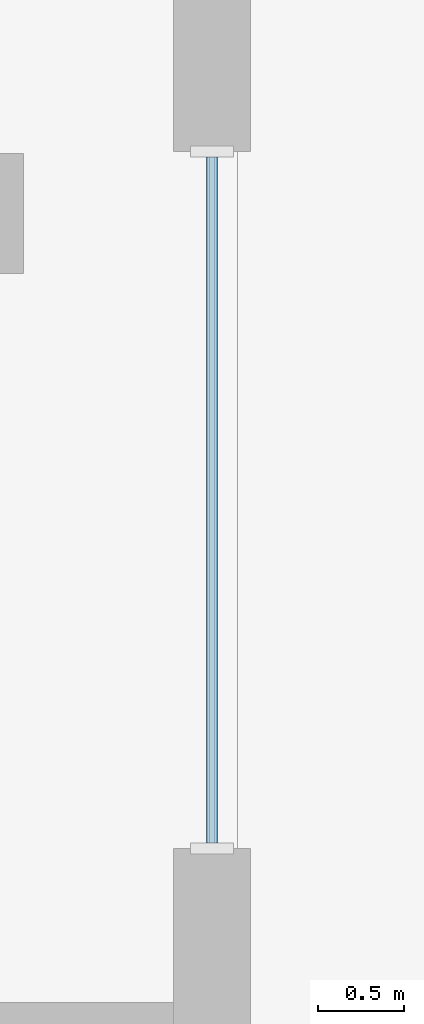
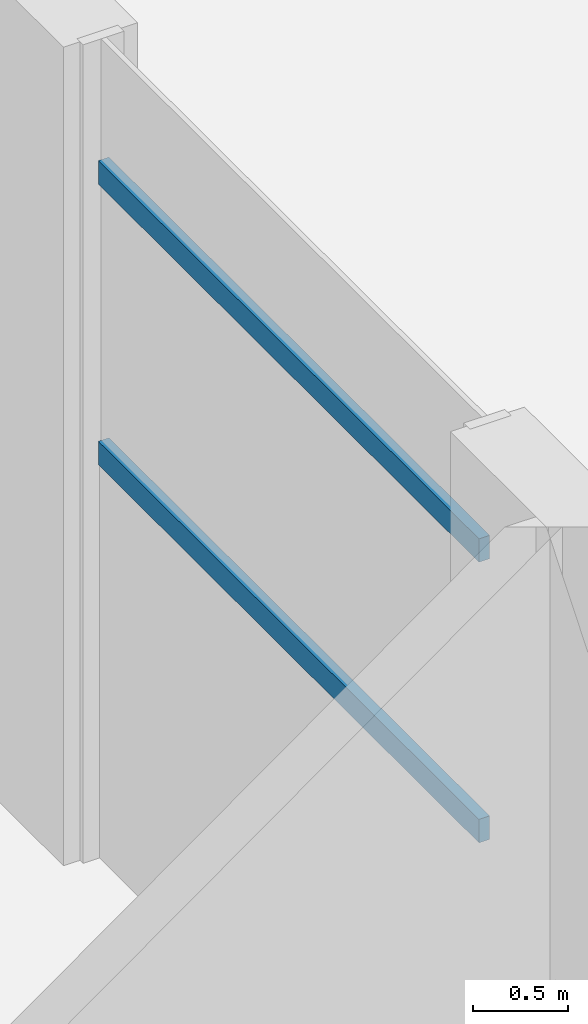
# One storey, part 4 of 27: 2 members, 1 element without a shape of its own.
"""IFC4 building model written with IfcOpenShell, lengths in metres."""

from ifc_helpers import new_model, si_unit, direction, frame, origin, origin_2d, place, context, subcontext, project, spatial, rectangle, extrude, material, material_profile, profile_set, type_object, element, aggregate, save


model = new_model("IFC4")

# Units and contexts
model_context = context("Model", 3, precision=1e-05, world=origin(), true_north=direction((0.0, 1.0)))
body_context = subcontext(model_context, "Body", "Model", "MODEL_VIEW")
ifc_project = project(units=[si_unit("LENGTHUNIT", "METRE"), si_unit("AREAUNIT", "SQUARE_METRE"), si_unit("VOLUMEUNIT", "CUBIC_METRE"), si_unit("PLANEANGLEUNIT", "RADIAN"), si_unit("MASSUNIT", "GRAM", prefix="KILO")], contexts=[model_context])

# Site, building, storey
site_placement = place(None, origin())
site = spatial("IfcSite", under=ifc_project, at=site_placement, CompositionType="ELEMENT")
building_placement = place(site_placement, origin())
building = spatial("IfcBuilding", under=site, at=building_placement, Name="Turquesa Mirador Hotel Tower", CompositionType="ELEMENT")
storey_placement = place(building_placement, origin())
storey = spatial("IfcBuildingStorey", under=building, at=storey_placement, Name="L00", CompositionType="ELEMENT", Elevation=0.0)

# Curtain wall, members
ifc_material_1 = material(Name="Aluminium extrusion", Category="aluminium")
curtain_wall_type = type_object("IfcCurtainWallType", Name="CW-1 LOBBY CURTAIN WALL", PredefinedType="USERDEFINED", material=ifc_material_1)
curtain_wall_placement = place(storey_placement, origin())
curtain_wall = element("IfcCurtainWall", 1, at=curtain_wall_placement, inside=storey, type_object=curtain_wall_type, Name="CW-1 LOBBY CURTAIN WALL L00", ObjectType="CURTAIN WALL", PredefinedType="USERDEFINED")
ifc_material_2 = material(Name="Aluminium extrusion", Category="aluminium")
ifc_material_profile = material_profile(ifc_material_2, rectangle(XDim=0.06494140625, YDim=0.14990234375, at=origin_2d()), Name="TRANSOM 65X150")
ifc_profile_set = profile_set([ifc_material_profile], Name="Aluminium extrusion")
member_type = type_object("IfcMemberType", Name="CW TRANSOM 65X150", PredefinedType="USERDEFINED", material=ifc_profile_set)
member_1_placement = place(storey_placement, frame((86.85009765625, 48.407470703125, 2.60009765625), z_axis=(0.0, 1.0, 0.0), x_axis=(-1.0, 0.0, 0.0)))
member_1 = element("IfcMember", 2, at=member_1_placement, type_object=member_type, Name="Transom", ObjectType="TRANSOM", PredefinedType="USERDEFINED", context=body_context, shape_type="SweptSolid", body=[
    extrude(rectangle(XDim=0.06494140625, YDim=0.14990234375, at=origin_2d()), origin(), (0.0, 0.0, 1.0), 4.0),
])
member_2_placement = place(storey_placement, frame((86.85009765625, 48.407470703125, 4.39990234375), z_axis=(0.0, 1.0, 0.0), x_axis=(-1.0, 0.0, 0.0)))
member_2 = element("IfcMember", 3, at=member_2_placement, type_object=member_type, Name="Transom", ObjectType="TRANSOM", PredefinedType="USERDEFINED", context=body_context, shape_type="SweptSolid", body=[
    extrude(rectangle(XDim=0.06494140625, YDim=0.14990234375, at=origin_2d()), origin(), (0.0, 0.0, 1.0), 4.0),
])
aggregate(curtain_wall, [member_1, member_2])

save(model, "model.ifc")
